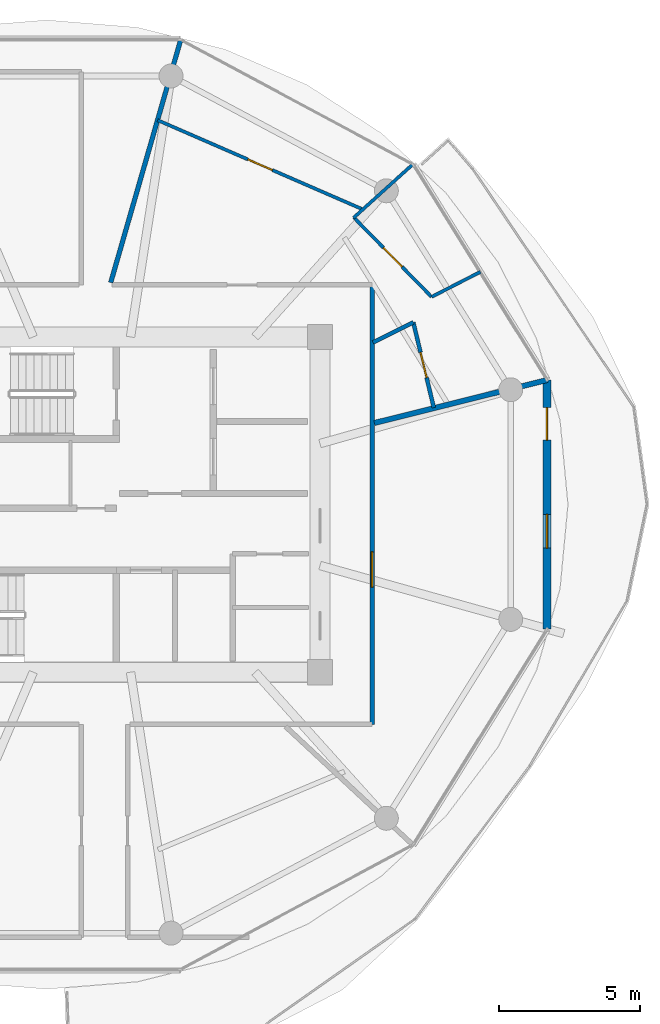
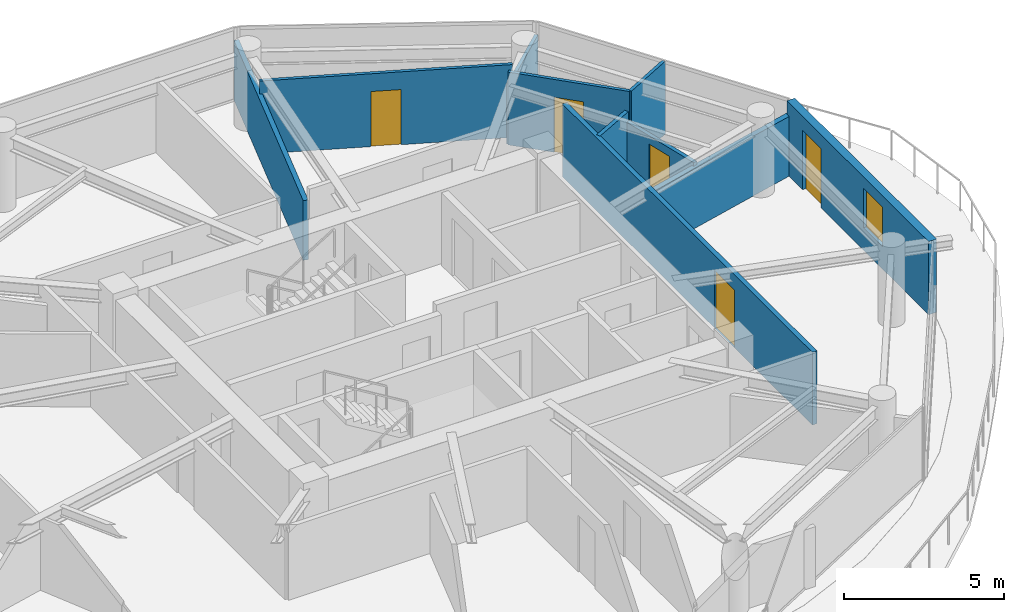
# One storey, part 17 of 23: 10 walls, 5 doors, 1 window, 6 openings.
"""IFC4 building model written with IfcOpenShell, lengths in metres."""

from ifc_helpers import new_model, si_unit, direction, frame, frame_2d, origin, place, context, subcontext, project, spatial, rectangle, extrude, source, transform, mapped, material, layer, layer_set, type_object, type_shapes, element, fill, save


model = new_model("IFC4")

# Units and contexts
model_context = context("Model", 3, precision=1e-05, world=origin(), true_north=direction((0.0, 1.0)))
body_context = subcontext(model_context, "Body", "Model", "MODEL_VIEW")
ifc_project = project(units=[si_unit("LENGTHUNIT", "METRE"), si_unit("AREAUNIT", "SQUARE_METRE"), si_unit("VOLUMEUNIT", "CUBIC_METRE"), si_unit("PLANEANGLEUNIT", "RADIAN"), si_unit("MASSUNIT", "GRAM", prefix="KILO")], contexts=[model_context])

# Site, building, storey
site_placement = place(None, origin())
site = spatial("IfcSite", under=ifc_project, at=site_placement, CompositionType="ELEMENT")
building_placement = place(site_placement, origin())
building = spatial("IfcBuilding", under=site, at=building_placement, Name="Norrkilde Senior Care Towers", CompositionType="ELEMENT")
storey_placement = place(building_placement, frame((0.0, 0.0, 93.199951171875)))
storey = spatial("IfcBuildingStorey", under=building, at=storey_placement, Name="L28", CompositionType="ELEMENT", Elevation=93.199951171875)

# Wall, openings, door, window
ifc_material_1 = material(Name="Precast concrete C45/55", Category="concrete")
ifc_layer_1 = layer(ifc_material_1, 0.2900390625)
ifc_layer_set_1 = layer_set([ifc_layer_1], Name="Precast concrete C45/55")
wall_type_1 = type_object("IfcWallType", Name="Winter Garden Facade Wall 290", PredefinedType="SOLIDWALL", material=ifc_layer_set_1)
shared_shape_1 = source(origin(), body_context, "Body", "SweptSolid", [
    extrude(rectangle(XDim=8.84130859375, YDim=0.2900390625, at=frame_2d((4.420654296875, 0.0))), origin(), (0.0, 0.0, 1.0), 2.7900390625),
])
type_shapes(wall_type_1, [shared_shape_1])
wall_1_placement = place(storey_placement, frame((43.70361328125, 4.420654296875, 0.0), z_axis=(0.0, 0.0, 1.0), x_axis=(0.0, -1.0, 0.0)))
wall_1 = element("IfcWall", 1, at=wall_1_placement, inside=storey, type_object=wall_type_1, Name="L28 Drum E Balcony Access Wall 11", PredefinedType="SOLIDWALL", context=body_context, shape_type="MappedRepresentation", body=[
    mapped(shared_shape_1, transform((0.0, 0.0, 0.0), x_axis=(1.0, 0.0, 0.0), y_axis=(0.0, 1.0, 0.0), z_axis=(0.0, 0.0, 1.0), scale=1.0)),
])
opening_1_placement = place(wall_1_placement, frame((0.97998046875, 0.0, 0.0)))
opening_1 = element("IfcOpeningElement", 2, at=opening_1_placement, cuts=wall_1, Name="Opening D-09", PredefinedType="OPENING", context=body_context, shape_type="SweptSolid", body=[
    extrude(rectangle(XDim=1.14990234375, YDim=2.25, at=frame_2d((0.574951171875, 1.125))), frame((0.0, 0.155029296875, 0.0), z_axis=(0.0, -1.0, 0.0), x_axis=(1.0, 0.0, 0.0)), (0.0, 0.0, 1.0), 0.31005859375),
])
opening_2_placement = place(wall_1_placement, frame((4.7705078125, 0.0, 0.85009765625)))
opening_2 = element("IfcOpeningElement", 3, at=opening_2_placement, cuts=wall_1, Name="Opening WN-07", PredefinedType="OPENING", context=body_context, shape_type="SweptSolid", body=[
    extrude(rectangle(XDim=1.199951171875, YDim=1.5, at=frame_2d((0.60009765625, 0.75))), frame((0.0, 0.155029296875, 0.0), z_axis=(0.0, -1.0, 0.0), x_axis=(1.0, 0.0, 0.0)), (0.0, 0.0, 1.0), 0.31005859375),
])
ifc_material_2 = material(Name="Anodised Aluminium", Category="aluminium")
door_type_1 = type_object("IfcDoorType", Name="Terrace and Balcony Glazed Door 1150x2250", OperationType="NOTDEFINED", PredefinedType="DOOR", material=ifc_material_2)
shared_shape_2 = source(origin(), body_context, "Body", "SweptSolid", [
    extrude(rectangle(XDim=1.14990234375, YDim=2.25, at=frame_2d((0.574951171875, 1.125))), frame((0.0, 0.02490234375, 0.0), z_axis=(0.0, -1.0, 0.0), x_axis=(1.0, 0.0, 0.0)), (0.0, 0.0, 1.0), 0.050048828125),
])
type_shapes(door_type_1, [shared_shape_2])
door_1_placement = place(opening_1_placement, origin())
door_1 = element("IfcDoor", 4, at=door_1_placement, inside=storey, type_object=door_type_1, Name="L28 Drum E Outdoor Terrace Door 11", OperationType="SINGLE_SWING_RIGHT", OverallHeight=2.25, OverallWidth=1.14990234375, PredefinedType="DOOR", context=body_context, shape_type="MappedRepresentation", body=[
    mapped(shared_shape_2, transform((0.0, 0.0, 0.0), x_axis=(1.0, 0.0, 0.0), y_axis=(0.0, 1.0, 0.0), z_axis=(0.0, 0.0, 1.0), scale=1.0)),
])
fill(opening_1, door_1)
ifc_material_3 = material(Name="Triple Low-E Insulated Glazing", Category="glass")
window_type = type_object("IfcWindowType", Name="Stairwell Smoke Vent Window 1200x1500", PartitioningType="SINGLE_PANEL", PredefinedType="WINDOW", material=ifc_material_3)
shared_shape_3 = source(origin(), body_context, "Body", "SweptSolid", [
    extrude(rectangle(XDim=1.199951171875, YDim=1.5, at=frame_2d((0.60009765625, 0.75))), frame((0.0, 0.030029296875, 0.0), z_axis=(0.0, -1.0, 0.0), x_axis=(1.0, 0.0, 0.0)), (0.0, 0.0, 1.0), 0.06005859375),
])
type_shapes(window_type, [shared_shape_3])
window_placement = place(opening_2_placement, origin())
window = element("IfcWindow", 5, at=window_placement, inside=storey, type_object=window_type, Name="L28 Drum E Winter Garden Window 11", OverallHeight=1.5, OverallWidth=1.199951171875, PartitioningType="SINGLE_PANEL", PredefinedType="WINDOW", context=body_context, shape_type="MappedRepresentation", body=[
    mapped(shared_shape_3, transform((0.0, 0.0, 0.0), x_axis=(1.0, 0.0, 0.0), y_axis=(0.0, 1.0, 0.0), z_axis=(0.0, 0.0, 1.0), scale=1.0)),
])
fill(opening_2, window)

# Wall, opening, door
ifc_material_4 = material(Name="Gypsum Acoustic Board")
ifc_layer_2 = layer(ifc_material_4, 0.1650390625)
ifc_layer_set_2 = layer_set([ifc_layer_2], Name="Gypsum Acoustic Board")
wall_type_2 = type_object("IfcWallType", Name="Corridor Rated Partition 165", PredefinedType="PARTITIONING", material=ifc_layer_set_2)
shared_shape_4 = source(origin(), body_context, "Body", "SweptSolid", [
    extrude(rectangle(XDim=15.60009765625, YDim=0.1650390625, at=frame_2d((7.800048828125, 0.0))), origin(), (0.0, 0.0, 1.0), 2.775146484375),
])
wall_2_placement = place(storey_placement, frame((37.5, 7.800048828125, 0.0), z_axis=(0.0, 0.0, 1.0), x_axis=(0.0, -1.0, 0.0)))
wall_2 = element("IfcWall", 6, at=wall_2_placement, inside=storey, type_object=wall_type_2, Name="WL-INT-L28-E-CRW-E-0", PredefinedType="PARTITIONING", context=body_context, shape_type="MappedRepresentation", body=[
    mapped(shared_shape_4, transform((0.0, 0.0, 0.0), x_axis=(1.0, 0.0, 0.0), y_axis=(0.0, 1.0, 0.0), z_axis=(0.0, 0.0, 1.0), scale=1.0)),
])
opening_3_placement = place(wall_2_placement, frame((9.482421875, 0.0, 0.0)))
opening_3 = element("IfcOpeningElement", 7, at=opening_3_placement, cuts=wall_2, Name="Opening D-05", PredefinedType="OPENING", context=body_context, shape_type="SweptSolid", body=[
    extrude(rectangle(XDim=1.25, YDim=2.199951171875, at=frame_2d((0.625, 1.10009765625))), frame((0.0, 0.092529296875, 0.0), z_axis=(0.0, -1.0, 0.0), x_axis=(1.0, 0.0, 0.0)), (0.0, 0.0, 1.0), 0.18505859375),
])
ifc_material_5 = material(Name="Nordic Ash Timber", Category="wood")
door_type_2 = type_object("IfcDoorType", Name="Care Bedroom Bariatric Door 1250x2200", OperationType="NOTDEFINED", PredefinedType="DOOR", material=ifc_material_5)
shared_shape_5 = source(origin(), body_context, "Body", "SweptSolid", [
    extrude(rectangle(XDim=1.25, YDim=2.199951171875, at=frame_2d((0.625, 1.10009765625))), frame((0.0, 0.02490234375, 0.0), z_axis=(0.0, -1.0, 0.0), x_axis=(1.0, 0.0, 0.0)), (0.0, 0.0, 1.0), 0.050048828125),
])
type_shapes(door_type_2, [shared_shape_5])
door_2_placement = place(opening_3_placement, frame((1.25, 0.0, 0.0), z_axis=(0.0, 0.0, 1.0), x_axis=(-1.0, 0.0, 0.0)))
door_2 = element("IfcDoor", 8, at=door_2_placement, inside=storey, type_object=door_type_2, Name="L28 Senior Wellness Library Lounge Door", OperationType="SINGLE_SWING_LEFT", OverallHeight=2.199951171875, OverallWidth=1.25, PredefinedType="DOOR", context=body_context, shape_type="MappedRepresentation", body=[
    mapped(shared_shape_5, transform((0.0, 0.0, 0.0), x_axis=(1.0, 0.0, 0.0), y_axis=(0.0, 1.0, 0.0), z_axis=(0.0, 0.0, 1.0), scale=1.0)),
])
fill(opening_3, door_2)

# Walls
ifc_layer_3 = layer(ifc_material_4, 0.18994140625)
ifc_layer_set_3 = layer_set([ifc_layer_3], Name="Gypsum Acoustic Board")
wall_type_3 = type_object("IfcWallType", Name="Unit Demising Acoustic Wall 190", PredefinedType="PARTITIONING", material=ifc_layer_set_3)
shared_shape_6 = source(origin(), body_context, "Body", "SweptSolid", [
    extrude(rectangle(XDim=6.33056640625, YDim=0.18994140625, at=frame_2d((3.165283203125, 0.0))), origin(), (0.0, 0.0, 1.0), 2.275146484375),
])
type_shapes(wall_type_3, [shared_shape_6])
wall_3_placement = place(storey_placement, frame((37.580078125, 2.89599609375, 0.0), z_axis=(0.0, 0.0, 1.0), x_axis=(0.97036440661, 0.241646267062, 0.0)))
element("IfcWall", 9, at=wall_3_placement, inside=storey, type_object=wall_type_3, Name="WL-INT-L28-E-DEM-00-0", PredefinedType="PARTITIONING", context=body_context, shape_type="MappedRepresentation", body=[
    mapped(shared_shape_6, transform((0.0, 0.0, 0.0), x_axis=(1.0, 0.0, 0.0), y_axis=(0.0, 1.0, 0.0), z_axis=(0.0, 0.0, 1.0), scale=1.0)),
])
ifc_layer_4 = layer(ifc_material_4, 0.114990234375)
ifc_layer_set_4 = layer_set([ifc_layer_4], Name="Gypsum Acoustic Board")
wall_type_4 = type_object("IfcWallType", Name="Internal Room Partition 115", PredefinedType="PARTITIONING", material=ifc_layer_set_4)
shared_shape_7 = source(origin(), body_context, "Body", "SweptSolid", [
    extrude(rectangle(XDim=2.8515625, YDim=0.114990234375, at=frame_2d((1.42578125, 0.0))), origin(), (0.0, 0.0, 1.0), 2.275146484375),
])
wall_4_placement = place(storey_placement, frame((36.84423828125, 10.180419921875, 0.0), z_axis=(0.0, 0.0, 1.0), x_axis=(0.742190556634, 0.670188911908, 0.0)))
element("IfcWall", 10, at=wall_4_placement, inside=storey, type_object=wall_type_4, Name="WL-INT-L28-E-UBR-00-1", PredefinedType="PARTITIONING", context=body_context, shape_type="MappedRepresentation", body=[
    mapped(shared_shape_7, transform((0.0, 0.0, 0.0), x_axis=(1.0, 0.0, 0.0), y_axis=(0.0, 1.0, 0.0), z_axis=(0.0, 0.0, 1.0), scale=1.0)),
])
shared_shape_8 = source(origin(), body_context, "Body", "SweptSolid", [
    extrude(rectangle(XDim=1.9453125, YDim=0.114990234375, at=frame_2d((0.97265625, 0.0))), origin(), (0.0, 0.0, 1.0), 2.775146484375),
])
wall_5_placement = place(storey_placement, frame((39.611083984375, 7.370361328125, 0.0), z_axis=(0.0, 0.0, 1.0), x_axis=(0.889684148329, 0.456576517368, 0.0)))
element("IfcWall", 11, at=wall_5_placement, inside=storey, type_object=wall_type_4, Name="WL-INT-L28-E-UKTS-00", PredefinedType="PARTITIONING", context=body_context, shape_type="MappedRepresentation", body=[
    mapped(shared_shape_8, transform((0.0, 0.0, 0.0), x_axis=(1.0, 0.0, 0.0), y_axis=(0.0, 1.0, 0.0), z_axis=(0.0, 0.0, 1.0), scale=1.0)),
])

# Wall, opening, door
ifc_layer_5 = layer(ifc_material_4, 0.139892578125)
ifc_layer_set_5 = layer_set([ifc_layer_5], Name="Gypsum Acoustic Board")
wall_type_5 = type_object("IfcWallType", Name="En-suite Wet Room Wall 140", PredefinedType="PARTITIONING", material=ifc_layer_set_5)
shared_shape_9 = source(origin(), body_context, "Body", "SweptSolid", [
    extrude(rectangle(XDim=3.111572265625, YDim=0.139892578125, at=frame_2d((1.5556640625, 0.0))), origin(), (0.0, 0.0, 1.0), 2.4150390625),
])
wall_6_placement = place(storey_placement, frame((38.963134765625, 6.4658203125, 0.0), z_axis=(0.0, 0.0, 1.0), x_axis=(0.233737944029, -0.972299631555, 0.0)))
wall_6 = element("IfcWall", 12, at=wall_6_placement, inside=storey, type_object=wall_type_5, Name="WL-INT-L28-E-UBTF-00", PredefinedType="PARTITIONING", context=body_context, shape_type="MappedRepresentation", body=[
    mapped(shared_shape_9, transform((0.0, 0.0, 0.0), x_axis=(1.0, 0.0, 0.0), y_axis=(0.0, 1.0, 0.0), z_axis=(0.0, 0.0, 1.0), scale=1.0)),
])
opening_4_placement = place(wall_6_placement, frame((1.095703125, 0.0, 0.0)))
opening_4 = element("IfcOpeningElement", 13, at=opening_4_placement, cuts=wall_6, Name="Opening D-08", PredefinedType="OPENING", context=body_context, shape_type="SweptSolid", body=[
    extrude(rectangle(XDim=0.919921875, YDim=2.10009765625, at=frame_2d((0.4599609375, 1.050048828125))), frame((0.0, 0.079833984375, 0.0), z_axis=(0.0, -1.0, 0.0), x_axis=(1.0, 0.0, 0.0)), (0.0, 0.0, 1.0), 0.159912109375),
])
door_type_3 = type_object("IfcDoorType", Name="Accessible Wet Room Door 920x2100", OperationType="NOTDEFINED", PredefinedType="DOOR", material=ifc_material_5)
shared_shape_10 = source(origin(), body_context, "Body", "SweptSolid", [
    extrude(rectangle(XDim=0.919921875, YDim=2.10009765625, at=frame_2d((0.4599609375, 1.050048828125))), frame((0.0, 0.02490234375, 0.0), z_axis=(0.0, -1.0, 0.0), x_axis=(1.0, 0.0, 0.0)), (0.0, 0.0, 1.0), 0.050048828125),
])
type_shapes(door_type_3, [shared_shape_10])
door_3_placement = place(opening_4_placement, origin())
door_3 = element("IfcDoor", 14, at=door_3_placement, inside=storey, type_object=door_type_3, Name="Apartment 28C Bathroom Door", OperationType="SINGLE_SWING_RIGHT", OverallHeight=2.10009765625, OverallWidth=0.919921875, PredefinedType="DOOR", context=body_context, shape_type="MappedRepresentation", body=[
    mapped(shared_shape_10, transform((0.0, 0.0, 0.0), x_axis=(1.0, 0.0, 0.0), y_axis=(0.0, 1.0, 0.0), z_axis=(0.0, 0.0, 1.0), scale=1.0)),
])
fill(opening_4, door_3)

# Wall
shared_shape_11 = source(origin(), body_context, "Body", "SweptSolid", [
    extrude(rectangle(XDim=8.9892578125, YDim=0.1650390625, at=frame_2d((4.49462890625, 0.0))), origin(), (0.0, 0.0, 1.0), 2.275146484375),
])
type_shapes(wall_type_2, [shared_shape_4, shared_shape_11])
wall_7_placement = place(storey_placement, frame((28.221923828125, 7.8798828125, 0.0), z_axis=(0.0, 0.0, 1.0), x_axis=(0.27702323008, 0.960863221274, 0.0)))
element("IfcWall", 15, at=wall_7_placement, inside=storey, type_object=wall_type_2, Name="WL-INT-L28-E-DEM-02-0", PredefinedType="PARTITIONING", context=body_context, shape_type="MappedRepresentation", body=[
    mapped(shared_shape_11, transform((0.0, 0.0, 0.0), x_axis=(1.0, 0.0, 0.0), y_axis=(0.0, 1.0, 0.0), z_axis=(0.0, 0.0, 1.0), scale=1.0)),
])

# Wall, opening, door
shared_shape_12 = source(origin(), body_context, "Body", "SweptSolid", [
    extrude(rectangle(XDim=7.937744140625, YDim=0.114990234375, at=frame_2d((3.96875, 0.0))), origin(), (0.0, 0.0, 1.0), 2.775146484375),
])
wall_8_placement = place(storey_placement, frame((37.164306640625, 10.4794921875, 0.0), z_axis=(0.0, 0.0, 1.0), x_axis=(-0.917052940979, 0.398765474235, 0.0)))
wall_8 = element("IfcWall", 16, at=wall_8_placement, inside=storey, type_object=wall_type_4, Name="WL-INT-L28-E-UBC-00-1", PredefinedType="PARTITIONING", context=body_context, shape_type="MappedRepresentation", body=[
    mapped(shared_shape_12, transform((0.0, 0.0, 0.0), x_axis=(1.0, 0.0, 0.0), y_axis=(0.0, 1.0, 0.0), z_axis=(0.0, 0.0, 1.0), scale=1.0)),
])
opening_5_placement = place(wall_8_placement, frame((3.493896484375, 0.0, 0.0)))
opening_5 = element("IfcOpeningElement", 17, at=opening_5_placement, cuts=wall_8, Name="Opening D-07", PredefinedType="OPENING", context=body_context, shape_type="SweptSolid", body=[
    extrude(rectangle(XDim=0.949951171875, YDim=2.10009765625, at=frame_2d((0.47509765625, 1.050048828125))), frame((0.0, 0.0673828125, 0.0), z_axis=(0.0, -1.0, 0.0), x_axis=(1.0, 0.0, 0.0)), (0.0, 0.0, 1.0), 0.135009765625),
])
door_type_4 = type_object("IfcDoorType", Name="Internal Suite Bedroom Door 950x2100", OperationType="NOTDEFINED", PredefinedType="DOOR", material=ifc_material_5)
shared_shape_13 = source(origin(), body_context, "Body", "SweptSolid", [
    extrude(rectangle(XDim=0.949951171875, YDim=2.10009765625, at=frame_2d((0.47509765625, 1.050048828125))), frame((0.0, 0.02490234375, 0.0), z_axis=(0.0, -1.0, 0.0), x_axis=(1.0, 0.0, 0.0)), (0.0, 0.0, 1.0), 0.050048828125),
])
type_shapes(door_type_4, [shared_shape_13])
door_4_placement = place(opening_5_placement, origin())
door_4 = element("IfcDoor", 18, at=door_4_placement, inside=storey, type_object=door_type_4, Name="Apartment 28C Bedroom 1 Door", OperationType="SINGLE_SWING_RIGHT", OverallHeight=2.10009765625, OverallWidth=0.949951171875, PredefinedType="DOOR", context=body_context, shape_type="MappedRepresentation", body=[
    mapped(shared_shape_13, transform((0.0, 0.0, 0.0), x_axis=(1.0, 0.0, 0.0), y_axis=(0.0, 1.0, 0.0), z_axis=(0.0, 0.0, 1.0), scale=1.0)),
])
fill(opening_5, door_4)

# Wall
shared_shape_14 = source(origin(), body_context, "Body", "SweptSolid", [
    extrude(rectangle(XDim=1.600341796875, YDim=0.139892578125, at=frame_2d((0.80029296875, 0.0))), origin(), (0.0, 0.0, 1.0), 2.775146484375),
])
type_shapes(wall_type_5, [shared_shape_9, shared_shape_14])
wall_9_placement = place(storey_placement, frame((37.530029296875, 5.753662109375, 0.0), z_axis=(0.0, 0.0, 1.0), x_axis=(0.895522919837, 0.445015393044, 0.0)))
element("IfcWall", 19, at=wall_9_placement, inside=storey, type_object=wall_type_5, Name="WL-INT-L28-E-UBTS-00", PredefinedType="PARTITIONING", context=body_context, shape_type="MappedRepresentation", body=[
    mapped(shared_shape_14, transform((0.0, 0.0, 0.0), x_axis=(1.0, 0.0, 0.0), y_axis=(0.0, 1.0, 0.0), z_axis=(0.0, 0.0, 1.0), scale=1.0)),
])

# Wall, opening, door
shared_shape_15 = source(origin(), body_context, "Body", "SweptSolid", [
    extrude(rectangle(XDim=3.943359375, YDim=0.114990234375, at=frame_2d((1.9716796875, 0.0))), origin(), (0.0, 0.0, 1.0), 2.775146484375),
])
type_shapes(wall_type_4, [shared_shape_7, shared_shape_8, shared_shape_12, shared_shape_15])
wall_10_placement = place(storey_placement, frame((39.611083984375, 7.370361328125, 0.0), z_axis=(0.0, 0.0, 1.0), x_axis=(-0.699481885754, 0.714650328134, 0.0)))
wall_10 = element("IfcWall", 20, at=wall_10_placement, inside=storey, type_object=wall_type_4, Name="WL-INT-L28-E-UKTF-00", PredefinedType="PARTITIONING", context=body_context, shape_type="MappedRepresentation", body=[
    mapped(shared_shape_15, transform((0.0, 0.0, 0.0), x_axis=(1.0, 0.0, 0.0), y_axis=(0.0, 1.0, 0.0), z_axis=(0.0, 0.0, 1.0), scale=1.0)),
])
opening_6_placement = place(wall_10_placement, frame((1.49658203125, 0.0, 0.0)))
opening_6 = element("IfcOpeningElement", 21, at=opening_6_placement, cuts=wall_10, Name="Opening D-07", PredefinedType="OPENING", context=body_context, shape_type="SweptSolid", body=[
    extrude(rectangle(XDim=0.949951171875, YDim=2.10009765625, at=frame_2d((0.47509765625, 1.050048828125))), frame((0.0, 0.0673828125, 0.0), z_axis=(0.0, -1.0, 0.0), x_axis=(1.0, 0.0, 0.0)), (0.0, 0.0, 1.0), 0.135009765625),
])
door_5_placement = place(opening_6_placement, frame((0.949951171875, 0.0, 0.0), z_axis=(0.0, 0.0, 1.0), x_axis=(-1.0, 0.0, 0.0)))
door_5 = element("IfcDoor", 22, at=door_5_placement, inside=storey, type_object=door_type_4, Name="Apartment 28C Kitchen Door", OperationType="SINGLE_SWING_LEFT", OverallHeight=2.10009765625, OverallWidth=0.949951171875, PredefinedType="DOOR", context=body_context, shape_type="MappedRepresentation", body=[
    mapped(shared_shape_13, transform((0.0, 0.0, 0.0), x_axis=(1.0, 0.0, 0.0), y_axis=(0.0, 1.0, 0.0), z_axis=(0.0, 0.0, 1.0), scale=1.0)),
])
fill(opening_6, door_5)

save(model, "model.ifc")
